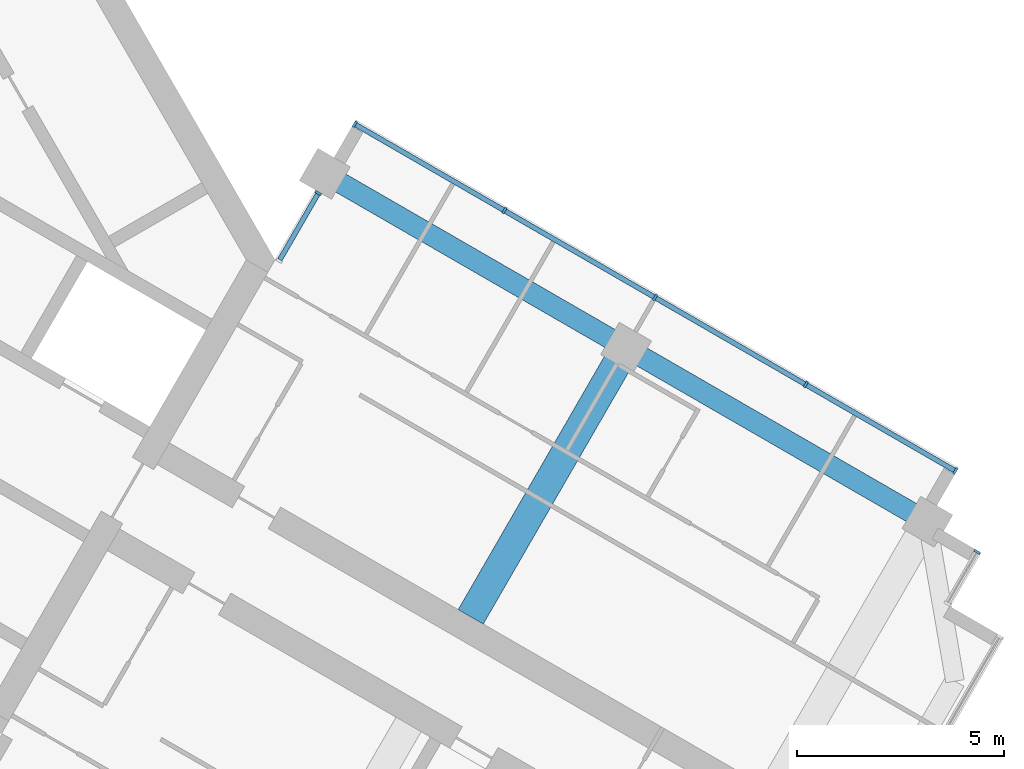
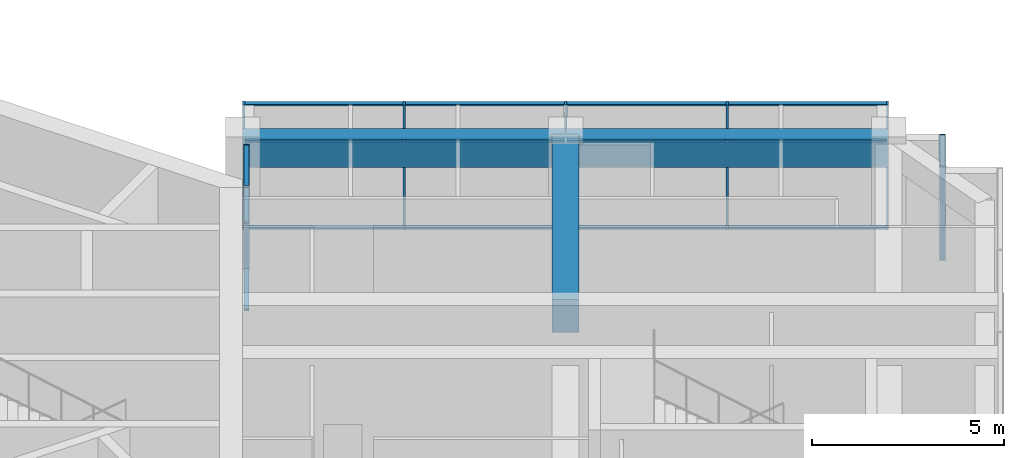
# One storey, part 5 of 13: 22 members, 3 beams, 3 elements without a shape of their own.
"""IFC4 building model written with IfcOpenShell, lengths in metres."""

from ifc_helpers import new_model, si_unit, direction, frame, origin, origin_2d, place, context, subcontext, project, spatial, rectangle, extrude, material, material_profile, profile_set, type_object, element, aggregate, save


model = new_model("IFC4")

# Units and contexts
model_context = context("Model", 3, precision=1e-05, world=origin(), true_north=direction((0.0, 1.0)))
body_context = subcontext(model_context, "Body", "Model", "MODEL_VIEW")
ifc_project = project(units=[si_unit("LENGTHUNIT", "METRE"), si_unit("AREAUNIT", "SQUARE_METRE"), si_unit("VOLUMEUNIT", "CUBIC_METRE"), si_unit("PLANEANGLEUNIT", "RADIAN"), si_unit("MASSUNIT", "GRAM", prefix="KILO")], contexts=[model_context])

# Site, building, storey
site_placement = place(None, origin())
site = spatial("IfcSite", under=ifc_project, at=site_placement, CompositionType="ELEMENT")
building_placement = place(site_placement, origin())
building = spatial("IfcBuilding", under=site, at=building_placement, Name="Impinga Residences", CompositionType="ELEMENT")
storey_placement = place(building_placement, frame((0.0, 0.0, 287.35009765625)))
storey = spatial("IfcBuildingStorey", under=building, at=storey_placement, Name="L72", CompositionType="ELEMENT", Elevation=287.35009765625)

# Beam
ifc_material_1 = material(Name="Concrete C60/75", Category="concrete")
ifc_material_profile_1 = material_profile(ifc_material_1, rectangle(XDim=0.699951171875, YDim=1.050048828125, at=origin_2d()), Name="RC 700x1050")
ifc_profile_set_1 = profile_set([ifc_material_profile_1], Name="Concrete C60/75")
beam_type_1 = type_object("IfcBeamType", Name="CG1 700x1050 cross girder on a wing bay line", PredefinedType="BEAM", material=ifc_profile_set_1)
beam_placement = place(storey_placement, frame((17.924560546875, -8.61669921875, 3.454833984375), z_axis=(0.500004234368, 0.866022959057, 0.0), x_axis=(-0.866022959057, 0.500004234368, 0.0)))
element("IfcBeam", 1, at=beam_placement, inside=storey, type_object=beam_type_1, Name="Beam CG1 E2 EC/EA level L73", PredefinedType="BEAM", context=body_context, shape_type="SweptSolid", body=[
    extrude(rectangle(XDim=0.699951171875, YDim=1.050048828125, at=origin_2d()), origin(), (0.0, 0.0, 1.0), 7.5),
])

# Curtain wall, member
ifc_material_2 = material(Name="Aluminium stick curtain wall", Category="aluminium")
curtain_wall_type = type_object("IfcCurtainWallType", Name="CW3 penthouse curtain wall", PredefinedType="USERDEFINED", material=ifc_material_2)
curtain_wall_1_placement = place(storey_placement, origin())
curtain_wall_1 = element("IfcCurtainWall", 2, at=curtain_wall_1_placement, inside=storey, type_object=curtain_wall_type, Name="Curtain wall CW3 L72", ObjectType="STICK CURTAIN WALL", PredefinedType="USERDEFINED")
ifc_material_3 = material(Name="Aluminium mullion", Category="aluminium")
ifc_material_profile_2 = material_profile(ifc_material_3, rectangle(XDim=0.06005859375, YDim=0.159912109375, at=origin_2d()), Name="60x160 mullion")
ifc_profile_set_2 = profile_set([ifc_material_profile_2], Name="Aluminium mullion")
member_type_1 = type_object("IfcMemberType", Name="CW3-M mullion 60x160", PredefinedType="MULLION", material=ifc_profile_set_2)
member_1_placement = place(storey_placement, frame((30.146728515625, -7.047607421875, 0.0), z_axis=(0.0, 0.0, 1.0), x_axis=(-0.500000030502, -0.866025386174, 0.0)))
member_1 = element("IfcMember", 3, at=member_1_placement, type_object=member_type_1, Name="CW3 mullion 1", PredefinedType="MULLION", context=body_context, shape_type="SweptSolid", body=[
    extrude(rectangle(XDim=0.06005859375, YDim=0.159912109375, at=origin_2d()), origin(), (0.0, 0.0, 1.0), 3.97998046875),
])
aggregate(curtain_wall_1, [member_1])

curtain_wall_2_placement = place(storey_placement, origin())
curtain_wall_2 = element("IfcCurtainWall", 4, at=curtain_wall_2_placement, inside=storey, type_object=curtain_wall_type, Name="Curtain wall CW3 L72", ObjectType="STICK CURTAIN WALL", PredefinedType="USERDEFINED")
member_2_placement = place(storey_placement, frame((14.2451171875, 1.610107421875, 0.0), z_axis=(0.0, 0.0, 1.0), x_axis=(0.50000010257, 0.866025344565, 0.0)))
member_2 = element("IfcMember", 5, at=member_2_placement, type_object=member_type_1, Name="CW3 mullion 2", PredefinedType="MULLION", context=body_context, shape_type="SweptSolid", body=[
    extrude(rectangle(XDim=0.06005859375, YDim=0.159912109375, at=origin_2d()), origin(), (0.0, 0.0, 1.0), 3.97998046875),
])

# Curtain wall, members
curtain_wall_3_placement = place(storey_placement, origin())
curtain_wall_3 = element("IfcCurtainWall", 6, at=curtain_wall_3_placement, inside=storey, type_object=curtain_wall_type, Name="Curtain wall CW3 L72", ObjectType="STICK CURTAIN WALL", PredefinedType="USERDEFINED")
member_3_placement = place(storey_placement, frame((15.1259765625, 3.27587890625, 0.0), z_axis=(0.0, 0.0, 1.0), x_axis=(0.866025407005, -0.499999994423, 0.0)))
member_3 = element("IfcMember", 7, at=member_3_placement, type_object=member_type_1, Name="CW3 mullion 1", PredefinedType="MULLION", context=body_context, shape_type="SweptSolid", body=[
    extrude(rectangle(XDim=0.06005859375, YDim=0.159912109375, at=origin_2d()), origin(), (0.0, 0.0, 1.0), 3.97998046875),
])
member_4_placement = place(storey_placement, frame((18.7373046875, 1.19091796875, 0.0), z_axis=(0.0, 0.0, 1.0), x_axis=(0.866025407005, -0.499999994423, 0.0)))
member_4 = element("IfcMember", 8, at=member_4_placement, type_object=member_type_1, Name="CW3 mullion 2", PredefinedType="MULLION", context=body_context, shape_type="SweptSolid", body=[
    extrude(rectangle(XDim=0.06005859375, YDim=0.159912109375, at=origin_2d()), origin(), (0.0, 0.0, 1.0), 3.97998046875),
])
member_5_placement = place(storey_placement, frame((22.37451171875, -0.9091796875, 0.0), z_axis=(0.0, 0.0, 1.0), x_axis=(0.866025407005, -0.499999994423, 0.0)))
member_5 = element("IfcMember", 9, at=member_5_placement, type_object=member_type_1, Name="CW3 mullion 3", PredefinedType="MULLION", context=body_context, shape_type="SweptSolid", body=[
    extrude(rectangle(XDim=0.06005859375, YDim=0.159912109375, at=origin_2d()), origin(), (0.0, 0.0, 1.0), 3.97998046875),
])
member_6_placement = place(storey_placement, frame((26.011962890625, -3.009033203125, 0.0), z_axis=(0.0, 0.0, 1.0), x_axis=(0.866025407005, -0.499999994423, 0.0)))
member_6 = element("IfcMember", 10, at=member_6_placement, type_object=member_type_1, Name="CW3 mullion 4", PredefinedType="MULLION", context=body_context, shape_type="SweptSolid", body=[
    extrude(rectangle(XDim=0.06005859375, YDim=0.159912109375, at=origin_2d()), origin(), (0.0, 0.0, 1.0), 3.97998046875),
])
member_7_placement = place(storey_placement, frame((29.623291015625, -5.093994140625, 0.0), z_axis=(0.0, 0.0, 1.0), x_axis=(0.866025407005, -0.499999994423, 0.0)))
member_7 = element("IfcMember", 11, at=member_7_placement, type_object=member_type_1, Name="CW3 mullion 5", PredefinedType="MULLION", context=body_context, shape_type="SweptSolid", body=[
    extrude(rectangle(XDim=0.06005859375, YDim=0.159912109375, at=origin_2d()), origin(), (0.0, 0.0, 1.0), 3.97998046875),
])

# Member
ifc_material_4 = material(Name="Aluminium transom", Category="aluminium")
ifc_material_profile_3 = material_profile(ifc_material_4, rectangle(XDim=0.06005859375, YDim=0.1201171875, at=origin_2d()), Name="60x120 transom")
ifc_profile_set_3 = profile_set([ifc_material_profile_3], Name="Aluminium transom")
member_type_2 = type_object("IfcMemberType", Name="CW3-T transom 60x120", PredefinedType="USERDEFINED", material=ifc_profile_set_3)
member_8_placement = place(storey_placement, frame((13.316650390625, 0.001953125, 0.02978515625), z_axis=(0.500019332402, 0.866014241929, 0.0), x_axis=(0.0, 0.0, 1.0)))
member_8 = element("IfcMember", 12, at=member_8_placement, type_object=member_type_2, Name="CW3 transom 1.1", ObjectType="TRANSOM", PredefinedType="USERDEFINED", context=body_context, shape_type="SweptSolid", body=[
    extrude(rectangle(XDim=0.06005859375, YDim=0.1201171875, at=origin_2d()), origin(), (0.0, 0.0, 1.0), 1.8271484375),
])

member_9_placement = place(storey_placement, frame((13.316650390625, 0.001953125, 2.7998046875), z_axis=(0.500019332402, 0.866014241929, 0.0), x_axis=(0.0, 0.0, 1.0)))
member_9 = element("IfcMember", 13, at=member_9_placement, type_object=member_type_2, Name="CW3 transom 1.2", ObjectType="TRANSOM", PredefinedType="USERDEFINED", context=body_context, shape_type="SweptSolid", body=[
    extrude(rectangle(XDim=0.06005859375, YDim=0.1201171875, at=origin_2d()), origin(), (0.0, 0.0, 1.0), 1.8271484375),
])

member_10_placement = place(storey_placement, frame((13.316650390625, 0.001953125, 3.949951171875), z_axis=(0.500019332402, 0.866014241929, 0.0), x_axis=(0.0, 0.0, 1.0)))
member_10 = element("IfcMember", 14, at=member_10_placement, type_object=member_type_2, Name="CW3 transom 1.3", ObjectType="TRANSOM", PredefinedType="USERDEFINED", context=body_context, shape_type="SweptSolid", body=[
    extrude(rectangle(XDim=0.06005859375, YDim=0.1201171875, at=origin_2d()), origin(), (0.0, 0.0, 1.0), 1.8271484375),
])

aggregate(curtain_wall_2, [member_2, member_8, member_9, member_10])

member_11_placement = place(storey_placement, frame((15.15185546875, 3.260986328125, 0.02978515625), z_axis=(0.866019409031, -0.500010383074, 0.0), x_axis=(0.0, 0.0, 1.0)))
member_11 = element("IfcMember", 15, at=member_11_placement, type_object=member_type_2, Name="CW3 transom 1.1", ObjectType="TRANSOM", PredefinedType="USERDEFINED", context=body_context, shape_type="SweptSolid", body=[
    extrude(rectangle(XDim=0.06005859375, YDim=0.1201171875, at=origin_2d()), origin(), (0.0, 0.0, 1.0), 4.1103515625),
])

member_12_placement = place(storey_placement, frame((15.15185546875, 3.260986328125, 2.7998046875), z_axis=(0.866019409031, -0.500010383074, 0.0), x_axis=(0.0, 0.0, 1.0)))
member_12 = element("IfcMember", 16, at=member_12_placement, type_object=member_type_2, Name="CW3 transom 1.2", ObjectType="TRANSOM", PredefinedType="USERDEFINED", context=body_context, shape_type="SweptSolid", body=[
    extrude(rectangle(XDim=0.06005859375, YDim=0.1201171875, at=origin_2d()), origin(), (0.0, 0.0, 1.0), 4.1103515625),
])

member_13_placement = place(storey_placement, frame((15.15185546875, 3.260986328125, 3.949951171875), z_axis=(0.866019409031, -0.500010383074, 0.0), x_axis=(0.0, 0.0, 1.0)))
member_13 = element("IfcMember", 17, at=member_13_placement, type_object=member_type_2, Name="CW3 transom 1.3", ObjectType="TRANSOM", PredefinedType="USERDEFINED", context=body_context, shape_type="SweptSolid", body=[
    extrude(rectangle(XDim=0.06005859375, YDim=0.1201171875, at=origin_2d()), origin(), (0.0, 0.0, 1.0), 4.1103515625),
])

member_14_placement = place(storey_placement, frame((18.76318359375, 1.17578125, 0.02978515625), z_axis=(0.866050071143, -0.499957272447, 0.0), x_axis=(0.0, 0.0, 1.0)))
member_14 = element("IfcMember", 18, at=member_14_placement, type_object=member_type_2, Name="CW3 transom 2.1", ObjectType="TRANSOM", PredefinedType="USERDEFINED", context=body_context, shape_type="SweptSolid", body=[
    extrude(rectangle(XDim=0.06005859375, YDim=0.1201171875, at=origin_2d()), origin(), (0.0, 0.0, 1.0), 4.139892578125),
])

member_15_placement = place(storey_placement, frame((18.76318359375, 1.17578125, 2.7998046875), z_axis=(0.866050071143, -0.499957272447, 0.0), x_axis=(0.0, 0.0, 1.0)))
member_15 = element("IfcMember", 19, at=member_15_placement, type_object=member_type_2, Name="CW3 transom 2.2", ObjectType="TRANSOM", PredefinedType="USERDEFINED", context=body_context, shape_type="SweptSolid", body=[
    extrude(rectangle(XDim=0.06005859375, YDim=0.1201171875, at=origin_2d()), origin(), (0.0, 0.0, 1.0), 4.139892578125),
])

member_16_placement = place(storey_placement, frame((18.76318359375, 1.17578125, 3.949951171875), z_axis=(0.866050071143, -0.499957272447, 0.0), x_axis=(0.0, 0.0, 1.0)))
member_16 = element("IfcMember", 20, at=member_16_placement, type_object=member_type_2, Name="CW3 transom 2.3", ObjectType="TRANSOM", PredefinedType="USERDEFINED", context=body_context, shape_type="SweptSolid", body=[
    extrude(rectangle(XDim=0.06005859375, YDim=0.1201171875, at=origin_2d()), origin(), (0.0, 0.0, 1.0), 4.139892578125),
])

member_17_placement = place(storey_placement, frame((22.400634765625, -0.924072265625, 0.02978515625), z_axis=(0.866009793405, -0.500027036996, 0.0), x_axis=(0.0, 0.0, 1.0)))
member_17 = element("IfcMember", 21, at=member_17_placement, type_object=member_type_2, Name="CW3 transom 3.1", ObjectType="TRANSOM", PredefinedType="USERDEFINED", context=body_context, shape_type="SweptSolid", body=[
    extrude(rectangle(XDim=0.06005859375, YDim=0.1201171875, at=origin_2d()), origin(), (0.0, 0.0, 1.0), 4.139892578125),
])

member_18_placement = place(storey_placement, frame((22.400634765625, -0.924072265625, 2.7998046875), z_axis=(0.866009793405, -0.500027036996, 0.0), x_axis=(0.0, 0.0, 1.0)))
member_18 = element("IfcMember", 22, at=member_18_placement, type_object=member_type_2, Name="CW3 transom 3.2", ObjectType="TRANSOM", PredefinedType="USERDEFINED", context=body_context, shape_type="SweptSolid", body=[
    extrude(rectangle(XDim=0.06005859375, YDim=0.1201171875, at=origin_2d()), origin(), (0.0, 0.0, 1.0), 4.139892578125),
])

member_19_placement = place(storey_placement, frame((22.400634765625, -0.924072265625, 3.949951171875), z_axis=(0.866009793405, -0.500027036996, 0.0), x_axis=(0.0, 0.0, 1.0)))
member_19 = element("IfcMember", 23, at=member_19_placement, type_object=member_type_2, Name="CW3 transom 3.3", ObjectType="TRANSOM", PredefinedType="USERDEFINED", context=body_context, shape_type="SweptSolid", body=[
    extrude(rectangle(XDim=0.06005859375, YDim=0.1201171875, at=origin_2d()), origin(), (0.0, 0.0, 1.0), 4.139892578125),
])

member_20_placement = place(storey_placement, frame((26.037841796875, -3.024169921875, 0.02978515625), z_axis=(0.866030279993, -0.499991554064, 0.0), x_axis=(0.0, 0.0, 1.0)))
member_20 = element("IfcMember", 24, at=member_20_placement, type_object=member_type_2, Name="CW3 transom 4.1", ObjectType="TRANSOM", PredefinedType="USERDEFINED", context=body_context, shape_type="SweptSolid", body=[
    extrude(rectangle(XDim=0.06005859375, YDim=0.1201171875, at=origin_2d()), origin(), (0.0, 0.0, 1.0), 4.10986328125),
])

member_21_placement = place(storey_placement, frame((26.037841796875, -3.024169921875, 2.7998046875), z_axis=(0.866030279993, -0.499991554064, 0.0), x_axis=(0.0, 0.0, 1.0)))
member_21 = element("IfcMember", 25, at=member_21_placement, type_object=member_type_2, Name="CW3 transom 4.2", ObjectType="TRANSOM", PredefinedType="USERDEFINED", context=body_context, shape_type="SweptSolid", body=[
    extrude(rectangle(XDim=0.06005859375, YDim=0.1201171875, at=origin_2d()), origin(), (0.0, 0.0, 1.0), 4.10986328125),
])

member_22_placement = place(storey_placement, frame((26.037841796875, -3.024169921875, 3.949951171875), z_axis=(0.866030279993, -0.499991554064, 0.0), x_axis=(0.0, 0.0, 1.0)))
member_22 = element("IfcMember", 26, at=member_22_placement, type_object=member_type_2, Name="CW3 transom 4.3", ObjectType="TRANSOM", PredefinedType="USERDEFINED", context=body_context, shape_type="SweptSolid", body=[
    extrude(rectangle(XDim=0.06005859375, YDim=0.1201171875, at=origin_2d()), origin(), (0.0, 0.0, 1.0), 4.10986328125),
])

aggregate(curtain_wall_3, [member_3, member_4, member_5, member_6, member_7, member_11, member_12, member_13, member_14, member_15, member_16, member_17, member_18, member_19, member_20, member_21, member_22])

# Beams
ifc_material_profile_4 = material_profile(ifc_material_1, rectangle(XDim=0.5, YDim=0.89990234375, at=origin_2d()), Name="RC 500x900")
ifc_profile_set_4 = profile_set([ifc_material_profile_4], Name="Concrete C60/75")
beam_type_2 = type_object("IfcBeamType", Name="SB1 500x900 perimeter spandrel beam", PredefinedType="SPANDREL", material=ifc_profile_set_4)
for number, where, z_axis, x_axis, name in (
    (27, (14.39990234375, 2.078369140625, 3.52978515625), (0.86602925447, -0.499993330357, 0.0), (0.499993330357, 0.86602925447, 0.0), "Beam SB1 EA E1-E2 level L73"),
    (28, (21.674560546875, -2.12158203125, 3.52978515625), (0.86602925447, -0.499993330357, 0.0), (0.499993330357, 0.86602925447, 0.0), "Beam SB1 EA E2-E3 level L73"),
):
    element("IfcBeam", number, at=place(storey_placement, frame(where, z_axis=z_axis, x_axis=x_axis)), inside=storey, type_object=beam_type_2, Name=name, PredefinedType="SPANDREL", context=body_context, shape_type="SweptSolid", body=[
        extrude(rectangle(XDim=0.5, YDim=0.89990234375, at=origin_2d()), origin(), (0.0, 0.0, 1.0), 8.39990234375),
    ])

save(model, "model.ifc")
